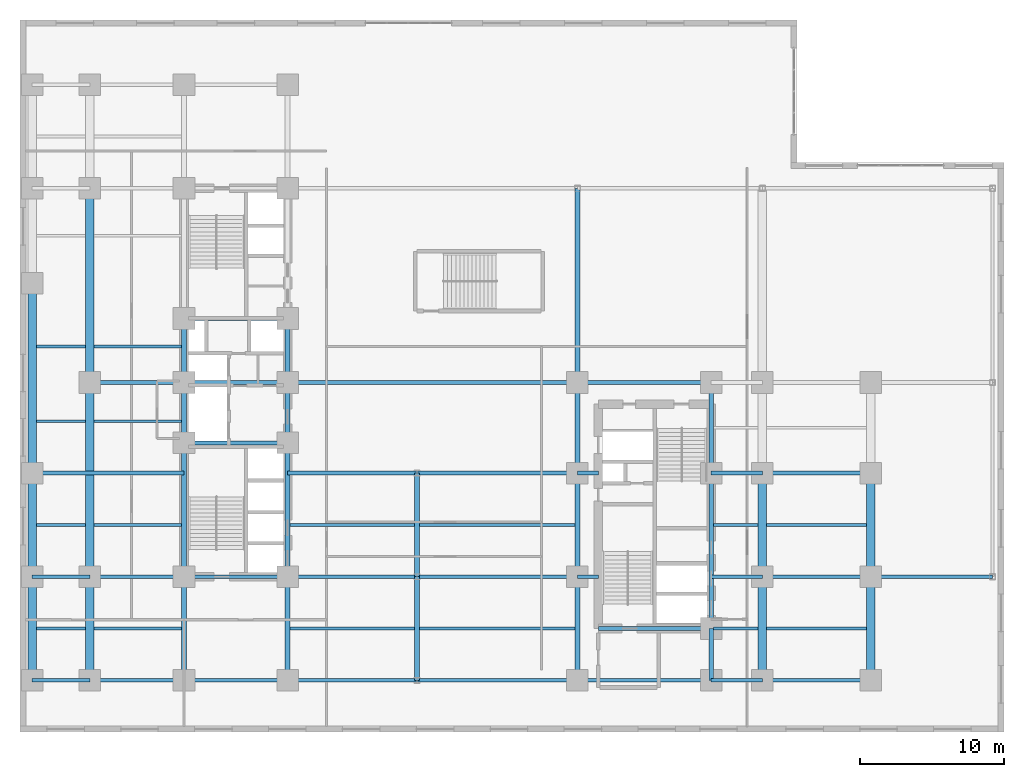
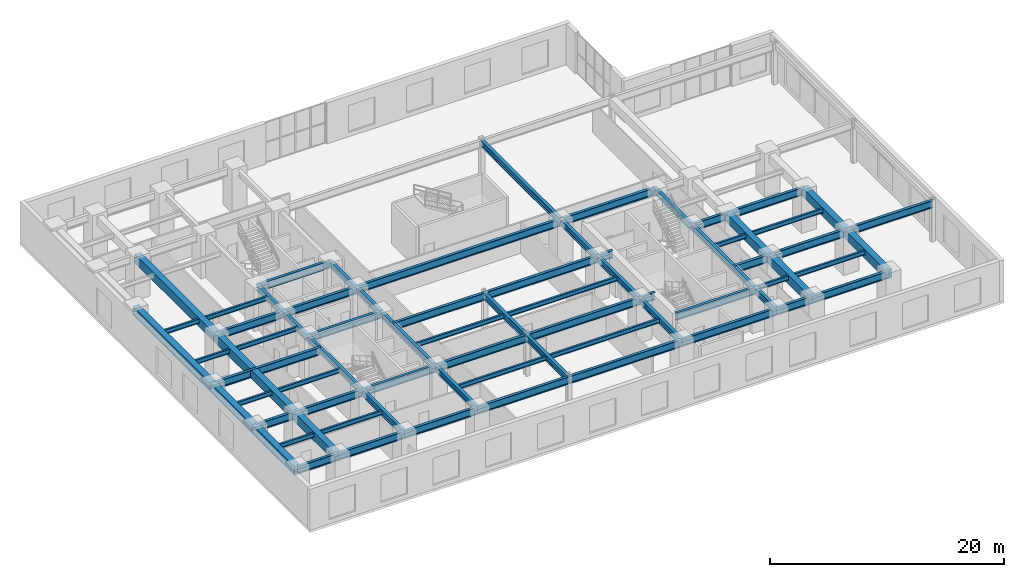
# One storey, part 3 of 15: 73 beams.
"""IFC4 building model written with IfcOpenShell, lengths in metres."""

from ifc_helpers import new_model, entity, si_unit, converted_unit, direction, frame, origin_with_axes, origin_2d_with_axis, place, context, subcontext, project, spatial, rectangle, i_section, extrude, material, material_profile, profile_set, type_object, element, save


model = new_model("IFC4")

# Units and contexts
model_context = context("Model", 3, precision=1e-05, world=origin_with_axes(), true_north=direction((0.0, 1.0)))
body_context = subcontext(model_context, "Body", "Model", "MODEL_VIEW")
ifc_project = project(units=[si_unit("LENGTHUNIT", "METRE"), si_unit("AREAUNIT", "SQUARE_METRE"), si_unit("VOLUMEUNIT", "CUBIC_METRE"), converted_unit("PLANEANGLEUNIT", "DEGREE", entity("IfcPlaneAngleMeasure", 0.017453292519943295), si_unit("PLANEANGLEUNIT", "RADIAN"), dimensions=[0, 0, 0, 0, 0, 0, 0]), si_unit("MASSUNIT", "GRAM", prefix="KILO"), si_unit("THERMODYNAMICTEMPERATUREUNIT", "KELVIN")], contexts=[model_context])

# Site, building, storey
site_placement = place(None, origin_with_axes())
site = spatial("IfcSite", under=ifc_project, at=site_placement, CompositionType="ELEMENT")
building_placement = place(site_placement, origin_with_axes())
building = spatial("IfcBuilding", under=site, at=building_placement, Name="Varnlund Millrace Tower", CompositionType="ELEMENT")
storey_placement = place(building_placement, frame((0.0, 0.0, 15.3), z_axis=(0.0, 0.0, 1.0), x_axis=(1.0, 0.0, 0.0)))
storey = spatial("IfcBuildingStorey", under=building, at=storey_placement, Name="L03", CompositionType="ELEMENT", Elevation=15.3)

# Beams
ifc_material_1 = material(Name="Steel ASTM A992 Grade 50", Category="steel")
ifc_material_profile_1 = material_profile(ifc_material_1, i_section(OverallWidth=0.328, OverallDepth=0.628, WebThickness=0.0165, FlangeThickness=0.0277, FilletRadius=0.018, at=origin_2d_with_axis()), Name="Steel ASTM A992 Grade 50")
ifc_profile_set_1 = profile_set([ifc_material_profile_1], Name="Steel ASTM A992 Grade 50")
beam_type_1 = type_object("IfcBeamType", Name="Type-Girder-W24X146", PredefinedType="USERDEFINED", material=ifc_profile_set_1)
beam_1_placement = place(storey_placement, frame((11.4, 3.6, 3.946), z_axis=(0.0, 1.0, 0.0), x_axis=(-1.0, 0.0, 0.0)))
element("IfcBeam", 1, at=beam_1_placement, inside=storey, type_object=beam_type_1, Name="Type-Girder-W24X146", ObjectType="GIRDER", PredefinedType="USERDEFINED", context=body_context, shape_type="SweptSolid", body=[
    extrude(i_section(OverallWidth=0.328, OverallDepth=0.628, WebThickness=0.0165, FlangeThickness=0.0277, FilletRadius=0.018, at=origin_2d_with_axis()), origin_with_axes(), (0.0, 0.0, 1.0), 7.2),
])
beam_2_placement = place(storey_placement, frame((11.4, 10.8, 3.946), z_axis=(0.0, 1.0, 0.0), x_axis=(-1.0, 0.0, 0.0)))
element("IfcBeam", 2, at=beam_2_placement, inside=storey, type_object=beam_type_1, Name="Type-Girder-W24X146", ObjectType="GIRDER", PredefinedType="USERDEFINED", context=body_context, shape_type="SweptSolid", body=[
    extrude(i_section(OverallWidth=0.328, OverallDepth=0.628, WebThickness=0.0165, FlangeThickness=0.0277, FilletRadius=0.018, at=origin_2d_with_axis()), origin_with_axes(), (0.0, 0.0, 1.0), 9.3),
])
beam_3_placement = place(storey_placement, frame((11.4, 20.1, 3.946), z_axis=(0.0, 1.0, 0.0), x_axis=(-1.0, 0.0, 0.0)))
element("IfcBeam", 3, at=beam_3_placement, inside=storey, type_object=beam_type_1, Name="Type-Girder-W24X146", ObjectType="GIRDER", PredefinedType="USERDEFINED", context=body_context, shape_type="SweptSolid", body=[
    extrude(i_section(OverallWidth=0.328, OverallDepth=0.628, WebThickness=0.0165, FlangeThickness=0.0277, FilletRadius=0.018, at=origin_2d_with_axis()), origin_with_axes(), (0.0, 0.0, 1.0), 4.2),
])
beam_4_placement = place(storey_placement, frame((11.4, 24.3, 3.946), z_axis=(0.0, 1.0, 0.0), x_axis=(-1.0, 0.0, 0.0)))
element("IfcBeam", 4, at=beam_4_placement, inside=storey, type_object=beam_type_1, Name="Type-Girder-W24X146", ObjectType="GIRDER", PredefinedType="USERDEFINED", context=body_context, shape_type="SweptSolid", body=[
    extrude(i_section(OverallWidth=0.328, OverallDepth=0.628, WebThickness=0.0165, FlangeThickness=0.0277, FilletRadius=0.018, at=origin_2d_with_axis()), origin_with_axes(), (0.0, 0.0, 1.0), 4.45),
])
beam_5_placement = place(storey_placement, frame((18.6, 3.6, 3.946), z_axis=(0.0, 1.0, 0.0), x_axis=(-1.0, 0.0, 0.0)))
element("IfcBeam", 5, at=beam_5_placement, inside=storey, type_object=beam_type_1, Name="Type-Girder-W24X146", ObjectType="GIRDER", PredefinedType="USERDEFINED", context=body_context, shape_type="SweptSolid", body=[
    extrude(i_section(OverallWidth=0.328, OverallDepth=0.628, WebThickness=0.0165, FlangeThickness=0.0277, FilletRadius=0.018, at=origin_2d_with_axis()), origin_with_axes(), (0.0, 0.0, 1.0), 7.2),
])
beam_6_placement = place(storey_placement, frame((18.6, 10.8, 3.946), z_axis=(0.0, 1.0, 0.0), x_axis=(-1.0, 0.0, 0.0)))
element("IfcBeam", 6, at=beam_6_placement, inside=storey, type_object=beam_type_1, Name="Type-Girder-W24X146", ObjectType="GIRDER", PredefinedType="USERDEFINED", context=body_context, shape_type="SweptSolid", body=[
    extrude(i_section(OverallWidth=0.328, OverallDepth=0.628, WebThickness=0.0165, FlangeThickness=0.0277, FilletRadius=0.018, at=origin_2d_with_axis()), origin_with_axes(), (0.0, 0.0, 1.0), 9.3),
])
beam_7_placement = place(storey_placement, frame((18.6, 20.1, 3.946), z_axis=(0.0, 1.0, 0.0), x_axis=(-1.0, 0.0, 0.0)))
element("IfcBeam", 7, at=beam_7_placement, inside=storey, type_object=beam_type_1, Name="Type-Girder-W24X146", ObjectType="GIRDER", PredefinedType="USERDEFINED", context=body_context, shape_type="SweptSolid", body=[
    extrude(i_section(OverallWidth=0.328, OverallDepth=0.628, WebThickness=0.0165, FlangeThickness=0.0277, FilletRadius=0.018, at=origin_2d_with_axis()), origin_with_axes(), (0.0, 0.0, 1.0), 4.2),
])
beam_8_placement = place(storey_placement, frame((18.6, 24.3, 3.946), z_axis=(0.0, 1.0, 0.0), x_axis=(-1.0, 0.0, 0.0)))
element("IfcBeam", 8, at=beam_8_placement, inside=storey, type_object=beam_type_1, Name="Type-Girder-W24X146", ObjectType="GIRDER", PredefinedType="USERDEFINED", context=body_context, shape_type="SweptSolid", body=[
    extrude(i_section(OverallWidth=0.328, OverallDepth=0.628, WebThickness=0.0165, FlangeThickness=0.0277, FilletRadius=0.018, at=origin_2d_with_axis()), origin_with_axes(), (0.0, 0.0, 1.0), 4.45),
])
for number, where, z_axis, x_axis, name in (
    (9, (27.6, 3.6, 3.946), (0.0, 1.0, 0.0), (-1.0, 0.0, 0.0), "Type-Girder-W24X146"),
    (10, (27.6, 10.8, 3.946), (0.0, 1.0, 0.0), (-1.0, 0.0, 0.0), "Type-Girder-W24X146"),
    (11, (38.75, 3.6, 3.946), (0.0, 1.0, 0.0), (-1.0, 0.0, 0.0), "Type-Girder-W24X146"),
    (12, (38.75, 10.8, 3.946), (0.0, 1.0, 0.0), (-1.0, 0.0, 0.0), "Type-Girder-W24X146"),
):
    element("IfcBeam", number, at=place(storey_placement, frame(where, z_axis=z_axis, x_axis=x_axis)), inside=storey, type_object=beam_type_1, Name=name, ObjectType="GIRDER", PredefinedType="USERDEFINED", context=body_context, shape_type="SweptSolid", body=[
        extrude(i_section(OverallWidth=0.328, OverallDepth=0.628, WebThickness=0.0165, FlangeThickness=0.0277, FilletRadius=0.018, at=origin_2d_with_axis()), origin_with_axes(), (0.0, 0.0, 1.0), 7.2),
    ])
beam_9_placement = place(storey_placement, frame((38.75, 18.0, 3.946), z_axis=(0.0, 1.0, 0.0), x_axis=(-1.0, 0.0, 0.0)))
element("IfcBeam", 13, at=beam_9_placement, inside=storey, type_object=beam_type_1, Name="Type-Girder-W24X146", ObjectType="GIRDER", PredefinedType="USERDEFINED", context=body_context, shape_type="SweptSolid", body=[
    extrude(i_section(OverallWidth=0.328, OverallDepth=0.628, WebThickness=0.0165, FlangeThickness=0.0277, FilletRadius=0.018, at=origin_2d_with_axis()), origin_with_axes(), (0.0, 0.0, 1.0), 6.3),
])
beam_10_placement = place(storey_placement, frame((38.75, 24.3, 3.946), z_axis=(0.0, 1.0, 0.0), x_axis=(-1.0, 0.0, 0.0)))
element("IfcBeam", 14, at=beam_10_placement, inside=storey, type_object=beam_type_1, Name="Type-Girder-W24X146", ObjectType="GIRDER", PredefinedType="USERDEFINED", context=body_context, shape_type="SweptSolid", body=[
    extrude(i_section(OverallWidth=0.328, OverallDepth=0.628, WebThickness=0.0165, FlangeThickness=0.0277, FilletRadius=0.018, at=origin_2d_with_axis()), origin_with_axes(), (0.0, 0.0, 1.0), 13.5),
])
beam_11_placement = place(storey_placement, frame((48.05, 3.6, 3.946), z_axis=(0.0, 1.0, 0.0), x_axis=(-1.0, 0.0, 0.0)))
element("IfcBeam", 15, at=beam_11_placement, inside=storey, type_object=beam_type_1, Name="Type-Girder-W24X146", ObjectType="GIRDER", PredefinedType="USERDEFINED", context=body_context, shape_type="SweptSolid", body=[
    extrude(i_section(OverallWidth=0.328, OverallDepth=0.628, WebThickness=0.0165, FlangeThickness=0.0277, FilletRadius=0.018, at=origin_2d_with_axis()), origin_with_axes(), (0.0, 0.0, 1.0), 3.6),
])
beam_12_placement = place(storey_placement, frame((48.05, 7.2, 3.946), z_axis=(0.0, 1.0, 0.0), x_axis=(-1.0, 0.0, 0.0)))
element("IfcBeam", 16, at=beam_12_placement, inside=storey, type_object=beam_type_1, Name="Type-Girder-W24X146", ObjectType="GIRDER", PredefinedType="USERDEFINED", context=body_context, shape_type="SweptSolid", body=[
    extrude(i_section(OverallWidth=0.328, OverallDepth=0.628, WebThickness=0.0165, FlangeThickness=0.0277, FilletRadius=0.018, at=origin_2d_with_axis()), origin_with_axes(), (0.0, 0.0, 1.0), 10.8),
])
beam_13_placement = place(storey_placement, frame((48.05, 18.0, 3.946), z_axis=(0.0, 1.0, 0.0), x_axis=(-1.0, 0.0, 0.0)))
element("IfcBeam", 17, at=beam_13_placement, inside=storey, type_object=beam_type_1, Name="Type-Girder-W24X146", ObjectType="GIRDER", PredefinedType="USERDEFINED", context=body_context, shape_type="SweptSolid", body=[
    extrude(i_section(OverallWidth=0.328, OverallDepth=0.628, WebThickness=0.0165, FlangeThickness=0.0277, FilletRadius=0.018, at=origin_2d_with_axis()), origin_with_axes(), (0.0, 0.0, 1.0), 6.3),
])
ifc_material_profile_2 = material_profile(ifc_material_1, i_section(OverallWidth=0.266, OverallDepth=0.779, WebThickness=0.0165, FlangeThickness=0.03, FilletRadius=0.02, at=origin_2d_with_axis()), Name="Steel ASTM A992 Grade 50")
ifc_profile_set_2 = profile_set([ifc_material_profile_2], Name="Steel ASTM A992 Grade 50")
beam_type_2 = type_object("IfcBeamType", Name="Type-Girder-W30X148", PredefinedType="USERDEFINED", material=ifc_profile_set_2)
beam_14_placement = place(storey_placement, frame((0.85, 3.6, 3.8705), z_axis=(1.0, 0.0, 0.0), x_axis=(0.0, 1.0, 0.0)))
element("IfcBeam", 18, at=beam_14_placement, inside=storey, type_object=beam_type_2, Name="Type-Girder-W30X148", ObjectType="GIRDER", PredefinedType="USERDEFINED", context=body_context, shape_type="SweptSolid", body=[
    extrude(i_section(OverallWidth=0.266, OverallDepth=0.779, WebThickness=0.0165, FlangeThickness=0.03, FilletRadius=0.02, at=origin_2d_with_axis()), origin_with_axes(), (0.0, 0.0, 1.0), 4.0),
])
beam_15_placement = place(storey_placement, frame((4.85, 3.6, 3.8705), z_axis=(1.0, 0.0, 0.0), x_axis=(0.0, 1.0, 0.0)))
element("IfcBeam", 19, at=beam_15_placement, inside=storey, type_object=beam_type_2, Name="Type-Girder-W30X148", ObjectType="GIRDER", PredefinedType="USERDEFINED", context=body_context, shape_type="SweptSolid", body=[
    extrude(i_section(OverallWidth=0.266, OverallDepth=0.779, WebThickness=0.0165, FlangeThickness=0.03, FilletRadius=0.02, at=origin_2d_with_axis()), origin_with_axes(), (0.0, 0.0, 1.0), 6.55),
])
beam_16_placement = place(storey_placement, frame((11.4, 3.6, 3.8705), z_axis=(1.0, 0.0, 0.0), x_axis=(0.0, 1.0, 0.0)))
element("IfcBeam", 20, at=beam_16_placement, inside=storey, type_object=beam_type_2, Name="Type-Girder-W30X148", ObjectType="GIRDER", PredefinedType="USERDEFINED", context=body_context, shape_type="SweptSolid", body=[
    extrude(i_section(OverallWidth=0.266, OverallDepth=0.779, WebThickness=0.0165, FlangeThickness=0.03, FilletRadius=0.02, at=origin_2d_with_axis()), origin_with_axes(), (0.0, 0.0, 1.0), 7.2),
])
beam_17_placement = place(storey_placement, frame((18.6, 3.6, 3.8705), z_axis=(1.0, 0.0, 0.0), x_axis=(0.0, 1.0, 0.0)))
element("IfcBeam", 21, at=beam_17_placement, inside=storey, type_object=beam_type_2, Name="Type-Girder-W30X148", ObjectType="GIRDER", PredefinedType="USERDEFINED", context=body_context, shape_type="SweptSolid", body=[
    extrude(i_section(OverallWidth=0.266, OverallDepth=0.779, WebThickness=0.0165, FlangeThickness=0.03, FilletRadius=0.02, at=origin_2d_with_axis()), origin_with_axes(), (0.0, 0.0, 1.0), 9.0),
])
beam_18_placement = place(storey_placement, frame((27.6, 3.6, 3.8705), z_axis=(1.0, 0.0, 0.0), x_axis=(0.0, 1.0, 0.0)))
element("IfcBeam", 22, at=beam_18_placement, inside=storey, type_object=beam_type_2, Name="Type-Girder-W30X148", ObjectType="GIRDER", PredefinedType="USERDEFINED", context=body_context, shape_type="SweptSolid", body=[
    extrude(i_section(OverallWidth=0.266, OverallDepth=0.779, WebThickness=0.0165, FlangeThickness=0.03, FilletRadius=0.02, at=origin_2d_with_axis()), origin_with_axes(), (0.0, 0.0, 1.0), 11.15),
])
beam_19_placement = place(storey_placement, frame((38.75, 3.6, 3.8705), z_axis=(1.0, 0.0, 0.0), x_axis=(0.0, 1.0, 0.0)))
element("IfcBeam", 23, at=beam_19_placement, inside=storey, type_object=beam_type_2, Name="Type-Girder-W30X148", ObjectType="GIRDER", PredefinedType="USERDEFINED", context=body_context, shape_type="SweptSolid", body=[
    extrude(i_section(OverallWidth=0.266, OverallDepth=0.779, WebThickness=0.0165, FlangeThickness=0.03, FilletRadius=0.02, at=origin_2d_with_axis()), origin_with_axes(), (0.0, 0.0, 1.0), 9.3),
])
beam_20_placement = place(storey_placement, frame((48.05, 3.6, 3.8705), z_axis=(1.0, 0.0, 0.0), x_axis=(0.0, 1.0, 0.0)))
element("IfcBeam", 24, at=beam_20_placement, inside=storey, type_object=beam_type_2, Name="Type-Girder-W30X148", ObjectType="GIRDER", PredefinedType="USERDEFINED", context=body_context, shape_type="SweptSolid", body=[
    extrude(i_section(OverallWidth=0.266, OverallDepth=0.779, WebThickness=0.0165, FlangeThickness=0.03, FilletRadius=0.02, at=origin_2d_with_axis()), origin_with_axes(), (0.0, 0.0, 1.0), 3.55),
])
beam_21_placement = place(storey_placement, frame((51.6, 3.6, 3.8705), z_axis=(1.0, 0.0, 0.0), x_axis=(0.0, 1.0, 0.0)))
element("IfcBeam", 25, at=beam_21_placement, inside=storey, type_object=beam_type_2, Name="Type-Girder-W30X148", ObjectType="GIRDER", PredefinedType="USERDEFINED", context=body_context, shape_type="SweptSolid", body=[
    extrude(i_section(OverallWidth=0.266, OverallDepth=0.779, WebThickness=0.0165, FlangeThickness=0.03, FilletRadius=0.02, at=origin_2d_with_axis()), origin_with_axes(), (0.0, 0.0, 1.0), 7.55),
])
beam_22_placement = place(storey_placement, frame((40.2, 7.2, 3.8705), z_axis=(1.0, 0.0, 0.0), x_axis=(0.0, 1.0, 0.0)))
element("IfcBeam", 26, at=beam_22_placement, inside=storey, type_object=beam_type_2, Name="Type-Girder-W30X148", ObjectType="GIRDER", PredefinedType="USERDEFINED", context=body_context, shape_type="SweptSolid", body=[
    extrude(i_section(OverallWidth=0.266, OverallDepth=0.779, WebThickness=0.0165, FlangeThickness=0.03, FilletRadius=0.02, at=origin_2d_with_axis()), origin_with_axes(), (0.0, 0.0, 1.0), 7.85),
])
beam_23_placement = place(storey_placement, frame((0.85, 10.8, 3.8705), z_axis=(1.0, 0.0, 0.0), x_axis=(0.0, 1.0, 0.0)))
element("IfcBeam", 27, at=beam_23_placement, inside=storey, type_object=beam_type_2, Name="Type-Girder-W30X148", ObjectType="GIRDER", PredefinedType="USERDEFINED", context=body_context, shape_type="SweptSolid", body=[
    extrude(i_section(OverallWidth=0.266, OverallDepth=0.779, WebThickness=0.0165, FlangeThickness=0.03, FilletRadius=0.02, at=origin_2d_with_axis()), origin_with_axes(), (0.0, 0.0, 1.0), 4.0),
])
beam_24_placement = place(storey_placement, frame((4.85, 10.8, 3.8705), z_axis=(1.0, 0.0, 0.0), x_axis=(0.0, 1.0, 0.0)))
element("IfcBeam", 28, at=beam_24_placement, inside=storey, type_object=beam_type_2, Name="Type-Girder-W30X148", ObjectType="GIRDER", PredefinedType="USERDEFINED", context=body_context, shape_type="SweptSolid", body=[
    extrude(i_section(OverallWidth=0.266, OverallDepth=0.779, WebThickness=0.0165, FlangeThickness=0.03, FilletRadius=0.02, at=origin_2d_with_axis()), origin_with_axes(), (0.0, 0.0, 1.0), 6.55),
])
beam_25_placement = place(storey_placement, frame((11.4, 10.8, 3.8705), z_axis=(1.0, 0.0, 0.0), x_axis=(0.0, 1.0, 0.0)))
element("IfcBeam", 29, at=beam_25_placement, inside=storey, type_object=beam_type_2, Name="Type-Girder-W30X148", ObjectType="GIRDER", PredefinedType="USERDEFINED", context=body_context, shape_type="SweptSolid", body=[
    extrude(i_section(OverallWidth=0.266, OverallDepth=0.779, WebThickness=0.0165, FlangeThickness=0.03, FilletRadius=0.02, at=origin_2d_with_axis()), origin_with_axes(), (0.0, 0.0, 1.0), 7.2),
])
beam_26_placement = place(storey_placement, frame((18.6, 10.8, 3.8705), z_axis=(1.0, 0.0, 0.0), x_axis=(0.0, 1.0, 0.0)))
element("IfcBeam", 30, at=beam_26_placement, inside=storey, type_object=beam_type_2, Name="Type-Girder-W30X148", ObjectType="GIRDER", PredefinedType="USERDEFINED", context=body_context, shape_type="SweptSolid", body=[
    extrude(i_section(OverallWidth=0.266, OverallDepth=0.779, WebThickness=0.0165, FlangeThickness=0.03, FilletRadius=0.02, at=origin_2d_with_axis()), origin_with_axes(), (0.0, 0.0, 1.0), 9.0),
])
beam_27_placement = place(storey_placement, frame((27.6, 10.8, 3.8705), z_axis=(1.0, 0.0, 0.0), x_axis=(0.0, 1.0, 0.0)))
element("IfcBeam", 31, at=beam_27_placement, inside=storey, type_object=beam_type_2, Name="Type-Girder-W30X148", ObjectType="GIRDER", PredefinedType="USERDEFINED", context=body_context, shape_type="SweptSolid", body=[
    extrude(i_section(OverallWidth=0.266, OverallDepth=0.779, WebThickness=0.0165, FlangeThickness=0.03, FilletRadius=0.02, at=origin_2d_with_axis()), origin_with_axes(), (0.0, 0.0, 1.0), 11.15),
])
beam_28_placement = place(storey_placement, frame((38.75, 10.8, 3.8705), z_axis=(1.0, 0.0, 0.0), x_axis=(0.0, 1.0, 0.0)))
element("IfcBeam", 32, at=beam_28_placement, inside=storey, type_object=beam_type_2, Name="Type-Girder-W30X148", ObjectType="GIRDER", PredefinedType="USERDEFINED", context=body_context, shape_type="SweptSolid", body=[
    extrude(i_section(OverallWidth=0.266, OverallDepth=0.779, WebThickness=0.0165, FlangeThickness=0.03, FilletRadius=0.02, at=origin_2d_with_axis()), origin_with_axes(), (0.0, 0.0, 1.0), 1.45),
])
beam_29_placement = place(storey_placement, frame((48.05, 10.8, 3.8705), z_axis=(1.0, 0.0, 0.0), x_axis=(0.0, 1.0, 0.0)))
element("IfcBeam", 33, at=beam_29_placement, inside=storey, type_object=beam_type_2, Name="Type-Girder-W30X148", ObjectType="GIRDER", PredefinedType="USERDEFINED", context=body_context, shape_type="SweptSolid", body=[
    extrude(i_section(OverallWidth=0.266, OverallDepth=0.779, WebThickness=0.0165, FlangeThickness=0.03, FilletRadius=0.02, at=origin_2d_with_axis()), origin_with_axes(), (0.0, 0.0, 1.0), 3.55),
])
beam_30_placement = place(storey_placement, frame((51.6, 10.8, 3.8705), z_axis=(1.0, 0.0, 0.0), x_axis=(0.0, 1.0, 0.0)))
element("IfcBeam", 34, at=beam_30_placement, inside=storey, type_object=beam_type_2, Name="Type-Girder-W30X148", ObjectType="GIRDER", PredefinedType="USERDEFINED", context=body_context, shape_type="SweptSolid", body=[
    extrude(i_section(OverallWidth=0.266, OverallDepth=0.779, WebThickness=0.0165, FlangeThickness=0.03, FilletRadius=0.02, at=origin_2d_with_axis()), origin_with_axes(), (0.0, 0.0, 1.0), 7.55),
])
beam_31_placement = place(storey_placement, frame((59.15, 10.8, 3.8705), z_axis=(1.0, 0.0, 0.0), x_axis=(0.0, 1.0, 0.0)))
element("IfcBeam", 35, at=beam_31_placement, inside=storey, type_object=beam_type_2, Name="Type-Girder-W30X148", ObjectType="GIRDER", PredefinedType="USERDEFINED", context=body_context, shape_type="SweptSolid", body=[
    extrude(i_section(OverallWidth=0.266, OverallDepth=0.779, WebThickness=0.0165, FlangeThickness=0.03, FilletRadius=0.02, at=origin_2d_with_axis()), origin_with_axes(), (0.0, 0.0, 1.0), 8.45),
])
beam_32_placement = place(storey_placement, frame((0.85, 18.0, 3.8705), z_axis=(1.0, 0.0, 0.0), x_axis=(0.0, 1.0, 0.0)))
element("IfcBeam", 36, at=beam_32_placement, inside=storey, type_object=beam_type_2, Name="Type-Girder-W30X148", ObjectType="GIRDER", PredefinedType="USERDEFINED", context=body_context, shape_type="SweptSolid", body=[
    extrude(i_section(OverallWidth=0.266, OverallDepth=0.779, WebThickness=0.0165, FlangeThickness=0.03, FilletRadius=0.02, at=origin_2d_with_axis()), origin_with_axes(), (0.0, 0.0, 1.0), 10.55),
])
beam_33_placement = place(storey_placement, frame((18.6, 18.0, 3.8705), z_axis=(1.0, 0.0, 0.0), x_axis=(0.0, 1.0, 0.0)))
element("IfcBeam", 37, at=beam_33_placement, inside=storey, type_object=beam_type_2, Name="Type-Girder-W30X148", ObjectType="GIRDER", PredefinedType="USERDEFINED", context=body_context, shape_type="SweptSolid", body=[
    extrude(i_section(OverallWidth=0.266, OverallDepth=0.779, WebThickness=0.0165, FlangeThickness=0.03, FilletRadius=0.02, at=origin_2d_with_axis()), origin_with_axes(), (0.0, 0.0, 1.0), 9.0),
])
beam_34_placement = place(storey_placement, frame((27.6, 18.0, 3.8705), z_axis=(1.0, 0.0, 0.0), x_axis=(0.0, 1.0, 0.0)))
element("IfcBeam", 38, at=beam_34_placement, inside=storey, type_object=beam_type_2, Name="Type-Girder-W30X148", ObjectType="GIRDER", PredefinedType="USERDEFINED", context=body_context, shape_type="SweptSolid", body=[
    extrude(i_section(OverallWidth=0.266, OverallDepth=0.779, WebThickness=0.0165, FlangeThickness=0.03, FilletRadius=0.02, at=origin_2d_with_axis()), origin_with_axes(), (0.0, 0.0, 1.0), 11.15),
])
beam_35_placement = place(storey_placement, frame((38.75, 18.0, 3.8705), z_axis=(1.0, 0.0, 0.0), x_axis=(0.0, 1.0, 0.0)))
element("IfcBeam", 39, at=beam_35_placement, inside=storey, type_object=beam_type_2, Name="Type-Girder-W30X148", ObjectType="GIRDER", PredefinedType="USERDEFINED", context=body_context, shape_type="SweptSolid", body=[
    extrude(i_section(OverallWidth=0.266, OverallDepth=0.779, WebThickness=0.0165, FlangeThickness=0.03, FilletRadius=0.02, at=origin_2d_with_axis()), origin_with_axes(), (0.0, 0.0, 1.0), 1.45),
])
beam_36_placement = place(storey_placement, frame((48.05, 18.0, 3.8705), z_axis=(1.0, 0.0, 0.0), x_axis=(0.0, 1.0, 0.0)))
element("IfcBeam", 40, at=beam_36_placement, inside=storey, type_object=beam_type_2, Name="Type-Girder-W30X148", ObjectType="GIRDER", PredefinedType="USERDEFINED", context=body_context, shape_type="SweptSolid", body=[
    extrude(i_section(OverallWidth=0.266, OverallDepth=0.779, WebThickness=0.0165, FlangeThickness=0.03, FilletRadius=0.02, at=origin_2d_with_axis()), origin_with_axes(), (0.0, 0.0, 1.0), 3.55),
])
beam_37_placement = place(storey_placement, frame((51.6, 18.0, 3.8705), z_axis=(1.0, 0.0, 0.0), x_axis=(0.0, 1.0, 0.0)))
element("IfcBeam", 41, at=beam_37_placement, inside=storey, type_object=beam_type_2, Name="Type-Girder-W30X148", ObjectType="GIRDER", PredefinedType="USERDEFINED", context=body_context, shape_type="SweptSolid", body=[
    extrude(i_section(OverallWidth=0.266, OverallDepth=0.779, WebThickness=0.0165, FlangeThickness=0.03, FilletRadius=0.02, at=origin_2d_with_axis()), origin_with_axes(), (0.0, 0.0, 1.0), 7.55),
])
beam_38_placement = place(storey_placement, frame((11.4, 20.1, 3.8705), z_axis=(1.0, 0.0, 0.0), x_axis=(0.0, 1.0, 0.0)))
element("IfcBeam", 42, at=beam_38_placement, inside=storey, type_object=beam_type_2, Name="Type-Girder-W30X148", ObjectType="GIRDER", PredefinedType="USERDEFINED", context=body_context, shape_type="SweptSolid", body=[
    extrude(i_section(OverallWidth=0.266, OverallDepth=0.779, WebThickness=0.0165, FlangeThickness=0.03, FilletRadius=0.02, at=origin_2d_with_axis()), origin_with_axes(), (0.0, 0.0, 1.0), 7.2),
])
beam_39_placement = place(storey_placement, frame((4.85, 24.3, 3.8705), z_axis=(1.0, 0.0, 0.0), x_axis=(0.0, 1.0, 0.0)))
element("IfcBeam", 43, at=beam_39_placement, inside=storey, type_object=beam_type_2, Name="Type-Girder-W30X148", ObjectType="GIRDER", PredefinedType="USERDEFINED", context=body_context, shape_type="SweptSolid", body=[
    extrude(i_section(OverallWidth=0.266, OverallDepth=0.779, WebThickness=0.0165, FlangeThickness=0.03, FilletRadius=0.02, at=origin_2d_with_axis()), origin_with_axes(), (0.0, 0.0, 1.0), 6.55),
])
beam_40_placement = place(storey_placement, frame((11.4, 24.3, 3.8705), z_axis=(1.0, 0.0, 0.0), x_axis=(0.0, 1.0, 0.0)))
element("IfcBeam", 44, at=beam_40_placement, inside=storey, type_object=beam_type_2, Name="Type-Girder-W30X148", ObjectType="GIRDER", PredefinedType="USERDEFINED", context=body_context, shape_type="SweptSolid", body=[
    extrude(i_section(OverallWidth=0.266, OverallDepth=0.779, WebThickness=0.0165, FlangeThickness=0.03, FilletRadius=0.02, at=origin_2d_with_axis()), origin_with_axes(), (0.0, 0.0, 1.0), 7.2),
])
beam_41_placement = place(storey_placement, frame((18.6, 24.3, 3.8705), z_axis=(1.0, 0.0, 0.0), x_axis=(0.0, 1.0, 0.0)))
element("IfcBeam", 45, at=beam_41_placement, inside=storey, type_object=beam_type_2, Name="Type-Girder-W30X148", ObjectType="GIRDER", PredefinedType="USERDEFINED", context=body_context, shape_type="SweptSolid", body=[
    extrude(i_section(OverallWidth=0.266, OverallDepth=0.779, WebThickness=0.0165, FlangeThickness=0.03, FilletRadius=0.02, at=origin_2d_with_axis()), origin_with_axes(), (0.0, 0.0, 1.0), 20.15),
])
beam_42_placement = place(storey_placement, frame((38.75, 24.3, 3.8705), z_axis=(1.0, 0.0, 0.0), x_axis=(0.0, 1.0, 0.0)))
element("IfcBeam", 46, at=beam_42_placement, inside=storey, type_object=beam_type_2, Name="Type-Girder-W30X148", ObjectType="GIRDER", PredefinedType="USERDEFINED", context=body_context, shape_type="SweptSolid", body=[
    extrude(i_section(OverallWidth=0.266, OverallDepth=0.779, WebThickness=0.0165, FlangeThickness=0.03, FilletRadius=0.02, at=origin_2d_with_axis()), origin_with_axes(), (0.0, 0.0, 1.0), 9.3),
])
beam_43_placement = place(storey_placement, frame((11.4, 28.75, 3.8705), z_axis=(1.0, 0.0, 0.0), x_axis=(0.0, 1.0, 0.0)))
element("IfcBeam", 47, at=beam_43_placement, inside=storey, type_object=beam_type_2, Name="Type-Girder-W30X148", ObjectType="GIRDER", PredefinedType="USERDEFINED", context=body_context, shape_type="SweptSolid", body=[
    extrude(i_section(OverallWidth=0.266, OverallDepth=0.779, WebThickness=0.0165, FlangeThickness=0.03, FilletRadius=0.02, at=origin_2d_with_axis()), origin_with_axes(), (0.0, 0.0, 1.0), 7.2),
])
ifc_material_profile_3 = material_profile(ifc_material_1, i_section(OverallWidth=0.191, OverallDepth=0.457, WebThickness=0.009, FlangeThickness=0.0145, FilletRadius=0.013, at=origin_2d_with_axis()), Name="Steel ASTM A992 Grade 50")
ifc_profile_set_3 = profile_set([ifc_material_profile_3], Name="Steel ASTM A992 Grade 50")
beam_type_3 = type_object("IfcBeamType", Name="Type-Joist-W18X50", PredefinedType="JOIST", material=ifc_profile_set_3)
for number, where, z_axis, x_axis, name in (
    (48, (1.15, 7.2, 4.0315), (1.0, 0.0, 0.0), (0.0, 1.0, 0.0), "Type-Joist-W18X50"),
    (49, (1.15, 14.4, 4.0315), (1.0, 0.0, 0.0), (0.0, 1.0, 0.0), "Type-Joist-W18X50"),
    (50, (1.15, 21.6, 4.0315), (1.0, 0.0, 0.0), (0.0, 1.0, 0.0), "Type-Joist-W18X50"),
    (51, (1.15, 26.8, 4.0315), (1.0, 0.0, 0.0), (0.0, 1.0, 0.0), "Type-Joist-W18X50"),
):
    element("IfcBeam", number, at=place(storey_placement, frame(where, z_axis=z_axis, x_axis=x_axis)), inside=storey, type_object=beam_type_3, Name=name, PredefinedType="JOIST", context=body_context, shape_type="SweptSolid", body=[
        extrude(i_section(OverallWidth=0.191, OverallDepth=0.457, WebThickness=0.009, FlangeThickness=0.0145, FilletRadius=0.013, at=origin_2d_with_axis()), origin_with_axes(), (0.0, 0.0, 1.0), 3.4),
    ])
for number, where, z_axis, x_axis, name in (
    (52, (5.15, 7.2, 4.0315), (1.0, 0.0, 0.0), (0.0, 1.0, 0.0), "Type-Joist-W18X50"),
    (53, (5.15, 14.4, 4.0315), (1.0, 0.0, 0.0), (0.0, 1.0, 0.0), "Type-Joist-W18X50"),
    (54, (5.15, 21.6, 4.0315), (1.0, 0.0, 0.0), (0.0, 1.0, 0.0), "Type-Joist-W18X50"),
    (55, (5.15, 26.8, 4.0315), (1.0, 0.0, 0.0), (0.0, 1.0, 0.0), "Type-Joist-W18X50"),
):
    element("IfcBeam", number, at=place(storey_placement, frame(where, z_axis=z_axis, x_axis=x_axis)), inside=storey, type_object=beam_type_3, Name=name, PredefinedType="JOIST", context=body_context, shape_type="SweptSolid", body=[
        extrude(i_section(OverallWidth=0.191, OverallDepth=0.457, WebThickness=0.009, FlangeThickness=0.0145, FilletRadius=0.013, at=origin_2d_with_axis()), origin_with_axes(), (0.0, 0.0, 1.0), 6.086),
    ])
for number, where, z_axis, x_axis, name in (
    (56, (48.214, 7.2, 4.0315), (1.0, 0.0, 0.0), (0.0, 1.0, 0.0), "Type-Joist-W18X50"),
    (57, (48.214, 14.4, 4.0315), (1.0, 0.0, 0.0), (0.0, 1.0, 0.0), "Type-Joist-W18X50"),
):
    element("IfcBeam", number, at=place(storey_placement, frame(where, z_axis=z_axis, x_axis=x_axis)), inside=storey, type_object=beam_type_3, Name=name, PredefinedType="JOIST", context=body_context, shape_type="SweptSolid", body=[
        extrude(i_section(OverallWidth=0.191, OverallDepth=0.457, WebThickness=0.009, FlangeThickness=0.0145, FilletRadius=0.013, at=origin_2d_with_axis()), origin_with_axes(), (0.0, 0.0, 1.0), 3.086),
    ])
for number, where, z_axis, x_axis, name in (
    (58, (51.9, 7.2, 4.0315), (1.0, 0.0, 0.0), (0.0, 1.0, 0.0), "Type-Joist-W18X50"),
    (59, (51.9, 14.4, 4.0315), (1.0, 0.0, 0.0), (0.0, 1.0, 0.0), "Type-Joist-W18X50"),
):
    element("IfcBeam", number, at=place(storey_placement, frame(where, z_axis=z_axis, x_axis=x_axis)), inside=storey, type_object=beam_type_3, Name=name, PredefinedType="JOIST", context=body_context, shape_type="SweptSolid", body=[
        extrude(i_section(OverallWidth=0.191, OverallDepth=0.457, WebThickness=0.009, FlangeThickness=0.0145, FilletRadius=0.013, at=origin_2d_with_axis()), origin_with_axes(), (0.0, 0.0, 1.0), 6.95),
    ])
for number, where, z_axis, x_axis, name in (
    (60, (18.764, 7.2, 4.0315), (1.0, 0.0, 0.0), (0.0, 1.0, 0.0), "Type-Joist-W18X50"),
    (61, (18.764, 14.4, 4.0315), (1.0, 0.0, 0.0), (0.0, 1.0, 0.0), "Type-Joist-W18X50"),
):
    element("IfcBeam", number, at=place(storey_placement, frame(where, z_axis=z_axis, x_axis=x_axis)), inside=storey, type_object=beam_type_3, Name=name, PredefinedType="JOIST", context=body_context, shape_type="SweptSolid", body=[
        extrude(i_section(OverallWidth=0.191, OverallDepth=0.457, WebThickness=0.009, FlangeThickness=0.0145, FilletRadius=0.013, at=origin_2d_with_axis()), origin_with_axes(), (0.0, 0.0, 1.0), 8.672),
    ])
for number, where, z_axis, x_axis, name in (
    (62, (27.764, 7.2, 4.0315), (1.0, 0.0, 0.0), (0.0, 1.0, 0.0), "Type-Joist-W18X50"),
    (63, (27.764, 14.4, 4.0315), (1.0, 0.0, 0.0), (0.0, 1.0, 0.0), "Type-Joist-W18X50"),
):
    element("IfcBeam", number, at=place(storey_placement, frame(where, z_axis=z_axis, x_axis=x_axis)), inside=storey, type_object=beam_type_3, Name=name, PredefinedType="JOIST", context=body_context, shape_type="SweptSolid", body=[
        extrude(i_section(OverallWidth=0.191, OverallDepth=0.457, WebThickness=0.009, FlangeThickness=0.0145, FilletRadius=0.013, at=origin_2d_with_axis()), origin_with_axes(), (0.0, 0.0, 1.0), 10.822),
    ])
ifc_material_2 = material(Name="Concrete C70/85", Category="concrete")
ifc_material_profile_4 = material_profile(ifc_material_2, rectangle(XDim=0.6, YDim=0.9, at=origin_2d_with_axis()), Name="Concrete C70/85")
ifc_profile_set_4 = profile_set([ifc_material_profile_4], Name="Concrete C70/85")
beam_type_4 = type_object("IfcBeamType", Name="Type-Spandrel-RC600X900", PredefinedType="SPANDREL", material=ifc_profile_set_4)
for number, where, z_axis, x_axis, name in (
    (64, (0.85, 3.6, 3.81), (0.0, 1.0, 0.0), (-1.0, 0.0, 0.0), "Type-Spandrel-RC600X900"),
    (65, (0.85, 10.8, 3.81), (0.0, 1.0, 0.0), (-1.0, 0.0, 0.0), "Type-Spandrel-RC600X900"),
):
    element("IfcBeam", number, at=place(storey_placement, frame(where, z_axis=z_axis, x_axis=x_axis)), inside=storey, type_object=beam_type_4, Name=name, PredefinedType="SPANDREL", context=body_context, shape_type="SweptSolid", body=[
        extrude(rectangle(XDim=0.6, YDim=0.9, at=origin_2d_with_axis()), origin_with_axes(), (0.0, 0.0, 1.0), 7.2),
    ])
beam_44_placement = place(storey_placement, frame((0.85, 18.0, 3.81), z_axis=(0.0, 1.0, 0.0), x_axis=(-1.0, 0.0, 0.0)))
element("IfcBeam", 66, at=beam_44_placement, inside=storey, type_object=beam_type_4, Name="Type-Spandrel-RC600X900", PredefinedType="SPANDREL", context=body_context, shape_type="SweptSolid", body=[
    extrude(rectangle(XDim=0.6, YDim=0.9, at=origin_2d_with_axis()), origin_with_axes(), (0.0, 0.0, 1.0), 13.2),
])
beam_45_placement = place(storey_placement, frame((4.85, 3.6, 3.81), z_axis=(0.0, 1.0, 0.0), x_axis=(-1.0, 0.0, 0.0)))
element("IfcBeam", 67, at=beam_45_placement, inside=storey, type_object=beam_type_4, Name="Type-Spandrel-RC600X900", PredefinedType="SPANDREL", context=body_context, shape_type="SweptSolid", body=[
    extrude(rectangle(XDim=0.6, YDim=0.9, at=origin_2d_with_axis()), origin_with_axes(), (0.0, 0.0, 1.0), 7.2),
])
for number, where, z_axis, x_axis, name in (
    (68, (4.85, 10.8, 3.81), (0.0, 1.0, 0.0), (-1.0, 0.0, 0.0), "Type-Spandrel-RC600X900"),
    (69, (4.85, 24.3, 3.81), (0.0, 1.0, 0.0), (-1.0, 0.0, 0.0), "Type-Spandrel-RC600X900"),
):
    element("IfcBeam", number, at=place(storey_placement, frame(where, z_axis=z_axis, x_axis=x_axis)), inside=storey, type_object=beam_type_4, Name=name, PredefinedType="SPANDREL", context=body_context, shape_type="SweptSolid", body=[
        extrude(rectangle(XDim=0.6, YDim=0.9, at=origin_2d_with_axis()), origin_with_axes(), (0.0, 0.0, 1.0), 13.5),
    ])
for number, where, z_axis, x_axis, name in (
    (70, (51.6, 3.6, 3.81), (0.0, 1.0, 0.0), (-1.0, 0.0, 0.0), "Type-Spandrel-RC600X900"),
    (71, (51.6, 10.8, 3.81), (0.0, 1.0, 0.0), (-1.0, 0.0, 0.0), "Type-Spandrel-RC600X900"),
    (72, (59.15, 3.6, 3.81), (0.0, 1.0, 0.0), (-1.0, 0.0, 0.0), "Type-Spandrel-RC600X900"),
    (73, (59.15, 10.8, 3.81), (0.0, 1.0, 0.0), (-1.0, 0.0, 0.0), "Type-Spandrel-RC600X900"),
):
    element("IfcBeam", number, at=place(storey_placement, frame(where, z_axis=z_axis, x_axis=x_axis)), inside=storey, type_object=beam_type_4, Name=name, PredefinedType="SPANDREL", context=body_context, shape_type="SweptSolid", body=[
        extrude(rectangle(XDim=0.6, YDim=0.9, at=origin_2d_with_axis()), origin_with_axes(), (0.0, 0.0, 1.0), 7.2),
    ])

save(model, "model.ifc")
